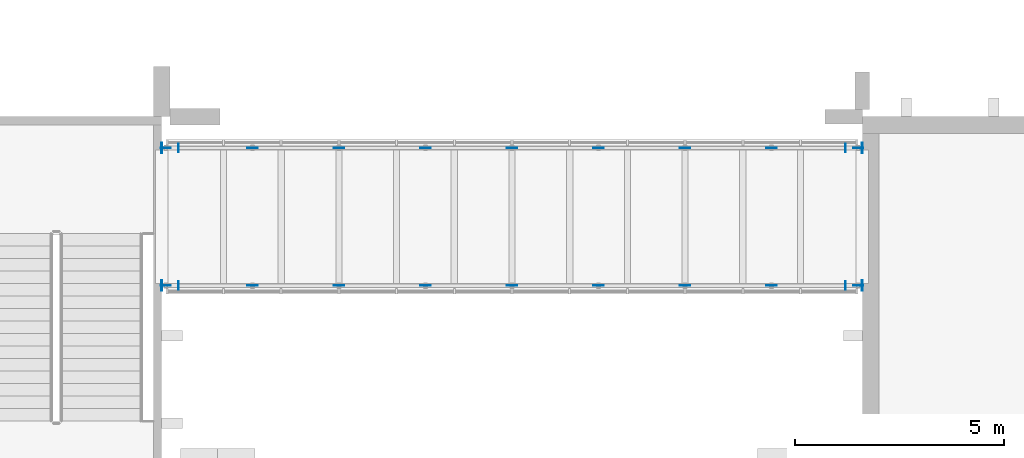
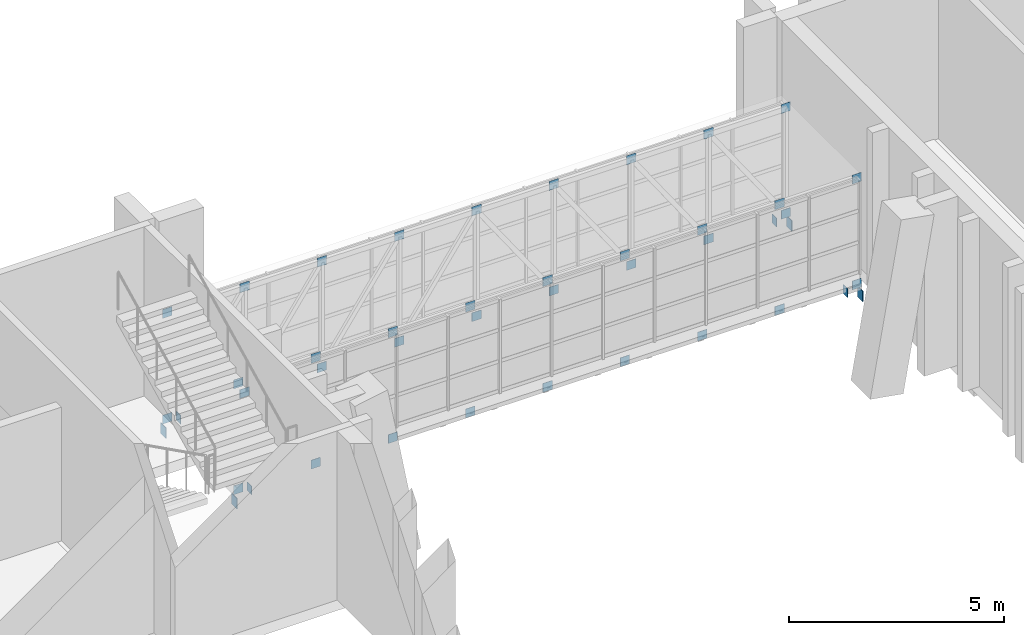
# One storey, part 28 of 91: 44 plates.
"""IFC4 building model written with IfcOpenShell, lengths in metres."""

from ifc_helpers import new_model, si_unit, direction, frame, origin, origin_2d, place, context, subcontext, project, spatial, rectangle, extrude, material, layer, layer_set, type_object, element, save


model = new_model("IFC4")

# Units and contexts
model_context = context("Model", 3, precision=1e-05, world=origin(), true_north=direction((0.0, 1.0)))
body_context = subcontext(model_context, "Body", "Model", "MODEL_VIEW")
ifc_project = project(units=[si_unit("LENGTHUNIT", "METRE"), si_unit("AREAUNIT", "SQUARE_METRE"), si_unit("VOLUMEUNIT", "CUBIC_METRE"), si_unit("PLANEANGLEUNIT", "RADIAN"), si_unit("MASSUNIT", "GRAM", prefix="KILO")], contexts=[model_context])

# Site, building, storey
site_placement = place(None, origin())
site = spatial("IfcSite", under=ifc_project, at=site_placement, CompositionType="ELEMENT")
building_placement = place(site_placement, origin())
building = spatial("IfcBuilding", under=site, at=building_placement, Name="Kiln Court Media Centre", CompositionType="ELEMENT")
storey_placement = place(building_placement, frame((0.0, 0.0, 5.39990234375)))
storey = spatial("IfcBuildingStorey", under=building, at=storey_placement, Name="L01", CompositionType="ELEMENT", Elevation=5.39990234375)

# Plates
ifc_material_1 = material(Name="Steel ASTM A572 Gr 50", Category="steel")
ifc_layer_1 = layer(ifc_material_1, 0.011962890625)
ifc_layer_set_1 = layer_set([ifc_layer_1], Name="Steel ASTM A572 Gr 50 12x200x250 connection plate")
plate_type_1 = type_object("IfcPlateType", Name="Steel ASTM A572 Gr 50 12x200x250 connection plate", PredefinedType="USERDEFINED", material=ifc_layer_set_1)
for number, where, z_axis, x_axis, name in (
    (1, (101.2060546875, 63.14990234375, -0.619873046875), (0.0, 0.0, 1.0), (1.0, 0.0, 0.0), "bridge BR-3 side truss 1 end 1 seat beam connection plate"),
    (2, (117.194091796875, 63.14990234375, -0.619873046875), (0.0, 0.0, 1.0), (1.0, 0.0, 0.0), "bridge BR-3 side truss 1 end 2 seat beam connection plate"),
    (3, (101.2060546875, 66.449951171875, -0.619873046875), (0.0, 0.0, 1.0), (1.0, 0.0, 0.0), "bridge BR-3 side truss 2 end 1 seat beam connection plate"),
    (4, (117.194091796875, 66.449951171875, -0.619873046875), (0.0, 0.0, 1.0), (1.0, 0.0, 0.0), "bridge BR-3 side truss 2 end 2 seat beam connection plate"),
):
    element("IfcPlate", number, at=place(storey_placement, frame(where, z_axis=z_axis, x_axis=x_axis)), inside=storey, type_object=plate_type_1, Name=name, ObjectType="CONNECTION PLATE", PredefinedType="USERDEFINED", context=body_context, shape_type="SweptSolid", body=[
        extrude(rectangle(XDim=0.011962890625, YDim=0.199951171875, at=origin_2d()), origin(), (0.0, 0.0, 1.0), 0.25),
    ])
ifc_material_2 = material(Name="Steel ASTM A572 Gr 50", Category="steel")
ifc_layer_2 = layer(ifc_material_2, 0.02001953125)
ifc_layer_set_2 = layer_set([ifc_layer_2], Name="Steel ASTM A572 Gr 50 20x250x300 seat bracket plate")
plate_type_2 = type_object("IfcPlateType", Name="Steel ASTM A572 Gr 50 20x250x300 seat bracket plate", PredefinedType="USERDEFINED", material=ifc_layer_set_2)
for number, where, z_axis, x_axis, name in (
    (5, (100.804931640625, 63.14990234375, -0.86572265625), (0.0, 0.0, 1.0), (1.0, 0.0, 0.0), "bridge BR-3 side truss 1 end 1 seat bracket plate"),
    (6, (117.594970703125, 63.14990234375, -0.86572265625), (0.0, 0.0, 1.0), (1.0, 0.0, 0.0), "bridge BR-3 side truss 1 end 2 seat bracket plate"),
    (7, (100.804931640625, 66.449951171875, -0.86572265625), (0.0, 0.0, 1.0), (1.0, 0.0, 0.0), "bridge BR-3 side truss 2 end 1 seat bracket plate"),
    (8, (117.594970703125, 66.449951171875, -0.86572265625), (0.0, 0.0, 1.0), (1.0, 0.0, 0.0), "bridge BR-3 side truss 2 end 2 seat bracket plate"),
):
    element("IfcPlate", number, at=place(storey_placement, frame(where, z_axis=z_axis, x_axis=x_axis)), inside=storey, type_object=plate_type_2, Name=name, ObjectType="SEAT BRACKET PLATE", PredefinedType="USERDEFINED", context=body_context, shape_type="SweptSolid", body=[
        extrude(rectangle(XDim=0.02001953125, YDim=0.25, at=origin_2d()), origin(), (0.0, 0.0, 1.0), 0.300048828125),
    ])
ifc_material_3 = material(Name="Steel ASTM A572 Gr 50", Category="steel")
ifc_layer_3 = layer(ifc_material_3, 0.010009765625)
ifc_layer_set_3 = layer_set([ifc_layer_3], Name="Steel ASTM A572 Gr 50 250x250x10 connection plate BR")
plate_type_3 = type_object("IfcPlateType", Name="Steel ASTM A572 Gr 50 250x250x10 connection plate BR", PredefinedType="USERDEFINED", material=ifc_layer_set_3)
for number, where, z_axis, x_axis, name in (
    (9, (100.89990234375, 63.14990234375, -0.52490234375), (0.0, 0.0, 1.0), (1.0, 0.0, 0.0), "BR node connection plate"),
    (10, (100.89990234375, 63.14990234375, 2.47509765625), (0.0, 0.0, 1.0), (1.0, 0.0, 0.0), "BR node connection plate"),
    (11, (100.89990234375, 66.449951171875, -0.52490234375), (0.0, 0.0, 1.0), (1.0, 0.0, 0.0), "BR node connection plate"),
    (12, (100.89990234375, 66.449951171875, 2.47509765625), (0.0, 0.0, 1.0), (1.0, 0.0, 0.0), "BR node connection plate"),
    (13, (102.97509765625, 63.14990234375, -0.52490234375), (0.0, 0.0, 1.0), (1.0, 0.0, 0.0), "BR node connection plate"),
    (14, (102.97509765625, 63.14990234375, 2.47509765625), (0.0, 0.0, 1.0), (1.0, 0.0, 0.0), "BR node connection plate"),
    (15, (102.97509765625, 66.449951171875, -0.52490234375), (0.0, 0.0, 1.0), (1.0, 0.0, 0.0), "BR node connection plate"),
    (16, (102.97509765625, 66.449951171875, 2.47509765625), (0.0, 0.0, 1.0), (1.0, 0.0, 0.0), "BR node connection plate"),
    (17, (105.050048828125, 63.14990234375, -0.52490234375), (0.0, 0.0, 1.0), (1.0, 0.0, 0.0), "BR node connection plate"),
    (18, (105.050048828125, 63.14990234375, 2.47509765625), (0.0, 0.0, 1.0), (1.0, 0.0, 0.0), "BR node connection plate"),
    (19, (105.050048828125, 66.449951171875, -0.52490234375), (0.0, 0.0, 1.0), (1.0, 0.0, 0.0), "BR node connection plate"),
    (20, (105.050048828125, 66.449951171875, 2.47509765625), (0.0, 0.0, 1.0), (1.0, 0.0, 0.0), "BR node connection plate"),
    (21, (107.125, 63.14990234375, -0.52490234375), (0.0, 0.0, 1.0), (1.0, 0.0, 0.0), "BR node connection plate"),
    (22, (107.125, 63.14990234375, 2.47509765625), (0.0, 0.0, 1.0), (1.0, 0.0, 0.0), "BR node connection plate"),
    (23, (107.125, 66.449951171875, -0.52490234375), (0.0, 0.0, 1.0), (1.0, 0.0, 0.0), "BR node connection plate"),
    (24, (107.125, 66.449951171875, 2.47509765625), (0.0, 0.0, 1.0), (1.0, 0.0, 0.0), "BR node connection plate"),
    (25, (109.199951171875, 63.14990234375, -0.52490234375), (0.0, 0.0, 1.0), (1.0, 0.0, 0.0), "BR node connection plate"),
    (26, (109.199951171875, 63.14990234375, 2.47509765625), (0.0, 0.0, 1.0), (1.0, 0.0, 0.0), "BR node connection plate"),
    (27, (109.199951171875, 66.449951171875, -0.52490234375), (0.0, 0.0, 1.0), (1.0, 0.0, 0.0), "BR node connection plate"),
    (28, (109.199951171875, 66.449951171875, 2.47509765625), (0.0, 0.0, 1.0), (1.0, 0.0, 0.0), "BR node connection plate"),
    (29, (111.27490234375, 63.14990234375, -0.52490234375), (0.0, 0.0, 1.0), (1.0, 0.0, 0.0), "BR node connection plate"),
    (30, (111.27490234375, 63.14990234375, 2.47509765625), (0.0, 0.0, 1.0), (1.0, 0.0, 0.0), "BR node connection plate"),
    (31, (111.27490234375, 66.449951171875, -0.52490234375), (0.0, 0.0, 1.0), (1.0, 0.0, 0.0), "BR node connection plate"),
    (32, (111.27490234375, 66.449951171875, 2.47509765625), (0.0, 0.0, 1.0), (1.0, 0.0, 0.0), "BR node connection plate"),
    (33, (113.35009765625, 63.14990234375, -0.52490234375), (0.0, 0.0, 1.0), (1.0, 0.0, 0.0), "BR node connection plate"),
    (34, (113.35009765625, 63.14990234375, 2.47509765625), (0.0, 0.0, 1.0), (1.0, 0.0, 0.0), "BR node connection plate"),
    (35, (113.35009765625, 66.449951171875, -0.52490234375), (0.0, 0.0, 1.0), (1.0, 0.0, 0.0), "BR node connection plate"),
    (36, (113.35009765625, 66.449951171875, 2.47509765625), (0.0, 0.0, 1.0), (1.0, 0.0, 0.0), "BR node connection plate"),
    (37, (115.425048828125, 63.14990234375, -0.52490234375), (0.0, 0.0, 1.0), (1.0, 0.0, 0.0), "BR node connection plate"),
    (38, (115.425048828125, 63.14990234375, 2.47509765625), (0.0, 0.0, 1.0), (1.0, 0.0, 0.0), "BR node connection plate"),
    (39, (115.425048828125, 66.449951171875, -0.52490234375), (0.0, 0.0, 1.0), (1.0, 0.0, 0.0), "BR node connection plate"),
    (40, (115.425048828125, 66.449951171875, 2.47509765625), (0.0, 0.0, 1.0), (1.0, 0.0, 0.0), "BR node connection plate"),
    (41, (117.5, 63.14990234375, -0.52490234375), (0.0, 0.0, 1.0), (1.0, 0.0, 0.0), "BR node connection plate"),
    (42, (117.5, 63.14990234375, 2.47509765625), (0.0, 0.0, 1.0), (1.0, 0.0, 0.0), "BR node connection plate"),
    (43, (117.5, 66.449951171875, -0.52490234375), (0.0, 0.0, 1.0), (1.0, 0.0, 0.0), "BR node connection plate"),
    (44, (117.5, 66.449951171875, 2.47509765625), (0.0, 0.0, 1.0), (1.0, 0.0, 0.0), "BR node connection plate"),
):
    element("IfcPlate", number, at=place(storey_placement, frame(where, z_axis=z_axis, x_axis=x_axis)), inside=storey, type_object=plate_type_3, Name=name, ObjectType="CONNECTION PLATE", PredefinedType="USERDEFINED", context=body_context, shape_type="SweptSolid", body=[
        extrude(rectangle(XDim=0.25, YDim=0.010009765625, at=origin_2d()), origin(), (0.0, 0.0, 1.0), 0.25),
    ])

save(model, "model.ifc")
